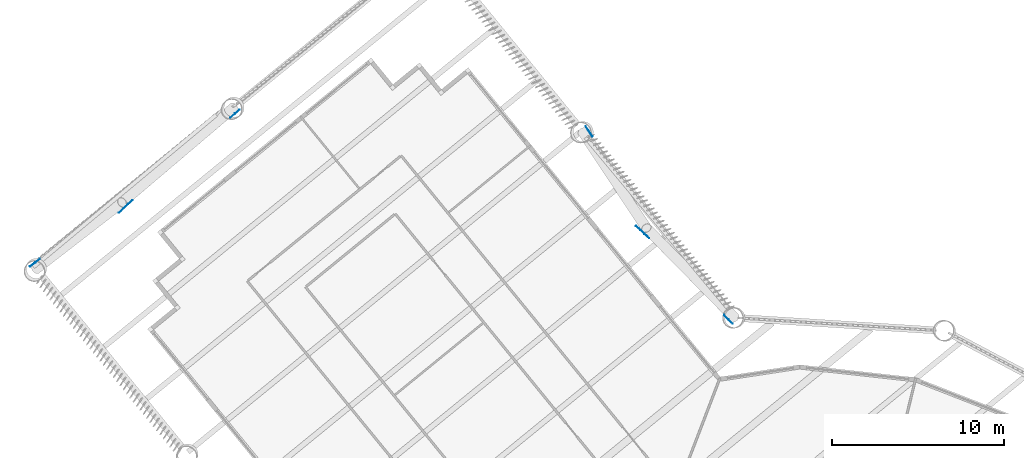
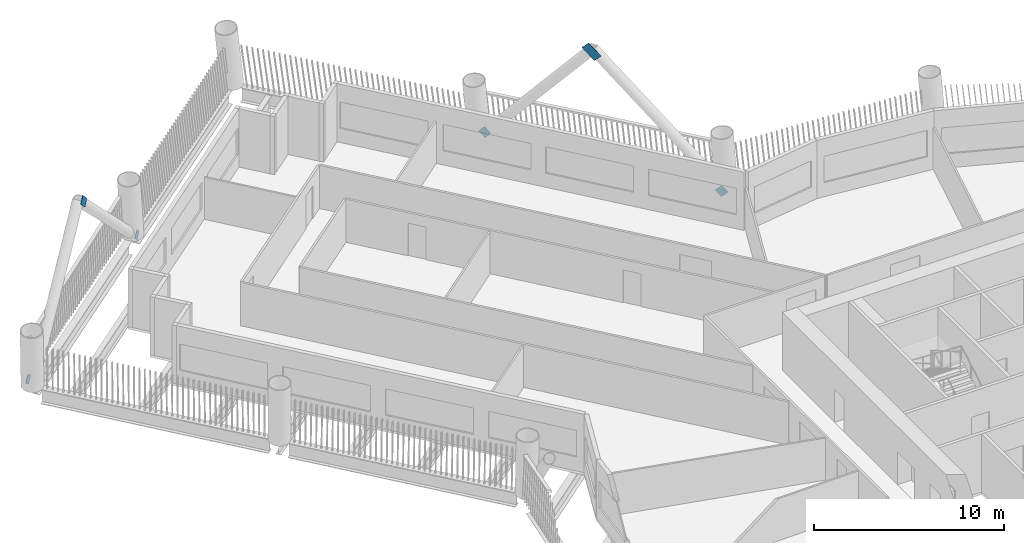
# One storey, part 12 of 22: 6 discrete accessories.
"""IFC4 building model written with IfcOpenShell, lengths in metres."""

import ifcopenshell
import ifcopenshell.guid

model = None  # the IFC model being written
_history = None  # IfcOwnerHistory: only IFC2X3 demands one
_inside = {}  # id of a spatial element -> (the spatial element, [elements in it])
_under = {}  # id of a project, library or spatial element -> (it, [spatial elements below it])
_declared = {}  # id of a project -> (the project, [libraries it declares])
_typed = {}  # id of a type object -> (the type object, [elements of that type])
_made_of = {}  # id of a material, layer set ... -> (it, [elements and type objects made of it])


def new_model(schema):
    """Start an empty IFC model of exactly this schema.

    Asked for "IFC4X3", IfcOpenShell would pick the latest addendum, in which some entities
    have other attributes; the version numbers below select the first issue.
    IFC2X3 requires an IfcOwnerHistory on every rooted entity: one is made here for all.
    """
    global model, _history
    if schema == "IFC4X3":
        model = ifcopenshell.file(schema_version=(4, 3, 0, 0))
    else:
        model = ifcopenshell.file(schema=schema)
    _inside.clear()
    _under.clear()
    _declared.clear()
    _typed.clear()
    _made_of.clear()
    _history = None
    if model.schema == "IFC2X3":
        org = make("IfcOrganization", Name="unknown")
        user = make(
            "IfcPersonAndOrganization",
            ThePerson=make("IfcPerson", FamilyName="unknown"),
            TheOrganization=org,
        )
        app = make(
            "IfcApplication",
            ApplicationDeveloper=org,
            Version="unknown",
            ApplicationFullName="unknown",
            ApplicationIdentifier="unknown",
        )
        _history = make(
            "IfcOwnerHistory",
            OwningUser=user,
            OwningApplication=app,
            ChangeAction="ADDED",
            CreationDate=0,
        )
    return model


def make(cls, **values):
    """One entity of the class cls with the attributes given. An attribute that is None is left unset."""
    return model.create_entity(
        cls, **{name: value for name, value in values.items() if value is not None}
    )


def rooted(cls, **values):
    """An entity with a GlobalId (a new one), such as an element, a storey or a relation."""
    return make(cls, GlobalId=ifcopenshell.guid.new(), OwnerHistory=_history, **values)


def si_unit(unit_type, name, prefix=None):
    """IfcSIUnit, for example si_unit("LENGTHUNIT", "METRE", prefix="MILLI")."""
    return make("IfcSIUnit", UnitType=unit_type, Prefix=prefix, Name=name)


def assignment(units):
    """IfcUnitAssignment: the units of a project."""
    return None if units is None else make("IfcUnitAssignment", Units=units)


def point(xyz):
    """IfcCartesianPoint."""
    return None if xyz is None else make("IfcCartesianPoint", Coordinates=xyz)


def direction(xyz):
    """IfcDirection."""
    return None if xyz is None else make("IfcDirection", DirectionRatios=xyz)


def frame(location, z_axis=None, x_axis=None):
    """IfcAxis2Placement3D, a coordinate frame: its origin and axes. An axis left out is left unset."""
    return make(
        "IfcAxis2Placement3D",
        Location=point(location),
        Axis=direction(z_axis),
        RefDirection=direction(x_axis),
    )


def frame_2d(location, x_axis=None):
    """IfcAxis2Placement2D, a coordinate frame in the plane: its origin and x axis."""
    return make(
        "IfcAxis2Placement2D", Location=point(location), RefDirection=direction(x_axis)
    )


def origin():
    """The frame at (0, 0, 0) with its axes left unset."""
    return frame((0.0, 0.0, 0.0))


def origin_2d():
    """The frame at (0, 0) in the plane with its x axis left unset."""
    return frame_2d((0.0, 0.0))


def place(relative_to, where):
    """IfcLocalPlacement: puts the frame where relative to a parent placement (None: the world)."""
    return make(
        "IfcLocalPlacement", PlacementRelTo=relative_to, RelativePlacement=where
    )


def context(
    kind, dimensions, precision=None, world=None, true_north=None, identifier=None
):
    """IfcGeometricRepresentationContext, for example the 3D "Model" context."""
    return make(
        "IfcGeometricRepresentationContext",
        ContextIdentifier=identifier,
        ContextType=kind,
        CoordinateSpaceDimension=dimensions,
        Precision=precision,
        WorldCoordinateSystem=world,
        TrueNorth=true_north,
    )


def subcontext(parent, identifier, kind, view, scale=None):
    """IfcGeometricRepresentationSubContext, for example "Body" below "Model"."""
    return make(
        "IfcGeometricRepresentationSubContext",
        ContextIdentifier=identifier,
        ContextType=kind,
        ParentContext=parent,
        TargetScale=scale,
        TargetView=view,
    )


def project(units=None, contexts=None):
    """IfcProject with its units and contexts."""
    return rooted(
        "IfcProject",
        Name="project",
        RepresentationContexts=contexts,
        UnitsInContext=assignment(units),
    )


def spatial(cls, under=None, at=None, **own):
    """A site, building, storey or space (cls), placed at a placement, below another one or the project."""
    s = rooted(cls, ObjectPlacement=at, **own)
    if under is not None:
        _under.setdefault(under.id(), (under, []))[1].append(s)
    return s


def profile(cls, at=None, kind="AREA", **sizes):
    """A parametric profile (cls). Its sizes go by their IFC names, for example OverallWidth=200.0."""
    return make(cls, ProfileType=kind, Position=at, **sizes)


def rectangle(**sizes):
    """IfcRectangleProfileDef."""
    return profile("IfcRectangleProfileDef", **sizes)


def extrude(swept, where, along, depth):
    """IfcExtrudedAreaSolid: the profile swept, set in the frame where, extruded along a direction by depth."""
    return make(
        "IfcExtrudedAreaSolid",
        SweptArea=swept,
        Position=where,
        ExtrudedDirection=direction(along),
        Depth=depth,
    )


def shape(context_of_items, identifier, shape_type, items):
    """IfcShapeRepresentation: the items that make up one representation, for example the "Body"."""
    return make(
        "IfcShapeRepresentation",
        ContextOfItems=context_of_items,
        RepresentationIdentifier=identifier,
        RepresentationType=shape_type,
        Items=items,
    )


def material(Name=None, Category=None):
    """IfcMaterial."""
    return make("IfcMaterial", Name=Name, Category=Category)


def material_profile(
    of_material, cross_section, Name=None, Category=None, Priority=None
):
    """IfcMaterialProfile: a cross section and its material."""
    return make(
        "IfcMaterialProfile",
        Name=Name,
        Material=of_material,
        Profile=cross_section,
        Priority=Priority,
        Category=Category,
    )


def profile_set(profiles, Name=None, composite=None):
    """IfcMaterialProfileSet."""
    return make(
        "IfcMaterialProfileSet",
        Name=Name,
        MaterialProfiles=profiles,
        CompositeProfile=composite,
    )


def made_of(thing, what):
    """Note that an element or type object is made of a material, layer set ...; save() writes the relation."""
    if what is not None:
        _made_of.setdefault(what.id(), (what, []))[1].append(thing)
    return thing


def type_object(cls, material=None, **own):
    """A type object (cls), such as IfcWallType, which elements share."""
    return made_of(rooted(cls, **own), material)


def element(
    cls,
    number,
    at=None,
    inside=None,
    cuts=None,
    type_object=None,
    material=None,
    context=None,
    identifier="Body",
    shape_type=None,
    held_by="IfcProductDefinitionShape",
    body=None,
    shapes=None,
    **own,
):
    """One element of the class cls, such as IfcWall. Its Tag is "e" and its number.

    at: its placement. inside: the storey or other place that contains it. cuts: it is an
    opening in that element (IfcRelVoidsElement). A single representation is given by context,
    identifier, shape_type and body (its items); several are given by shapes. held_by: the class
    of the entity that holds the representations. save() writes the other relations.
    """
    e = rooted(cls, Tag="e%d" % number, ObjectPlacement=at, **own)
    if body is not None:
        shapes = [shape(context, identifier, shape_type, body)]
    if shapes is not None:
        e.Representation = make(held_by, Representations=shapes)
    if inside is not None:
        _inside.setdefault(inside.id(), (inside, []))[1].append(e)
    if cuts is not None:
        rooted(
            "IfcRelVoidsElement", RelatingBuildingElement=cuts, RelatedOpeningElement=e
        )
    if type_object is not None:
        _typed.setdefault(type_object.id(), (type_object, []))[1].append(e)
    return made_of(e, material)


def aggregate(whole, parts):
    """IfcRelAggregates: a whole, such as a stair, and the parts it consists of."""
    return rooted("IfcRelAggregates", RelatingObject=whole, RelatedObjects=parts)


def save(model, path):
    """Write the relations noted so far, then the file.

    IfcRelAggregates (storeys below a building ...), IfcRelContainedInSpatialStructure (elements
    in a storey), IfcRelDefinesByType, IfcRelAssociatesMaterial and IfcRelDeclares: one each for
    every whole, place, type object, material and project.
    """
    for whole, parts in _under.values():
        aggregate(whole, parts)
    for where, things in _inside.values():
        rooted(
            "IfcRelContainedInSpatialStructure",
            RelatedElements=things,
            RelatingStructure=where,
        )
    for kind, things in _typed.values():
        rooted("IfcRelDefinesByType", RelatedObjects=things, RelatingType=kind)
    for what, things in _made_of.values():
        rooted("IfcRelAssociatesMaterial", RelatedObjects=things, RelatingMaterial=what)
    for by, libraries in _declared.values():
        rooted("IfcRelDeclares", RelatingContext=by, RelatedDefinitions=libraries)
    model.write(path)


model = new_model("IFC4")

# Units and contexts
model_context = context("Model", 3, precision=1e-05, world=origin(), true_north=direction((0.0, 1.0)))
body_context = subcontext(model_context, "Body", "Model", "MODEL_VIEW")
ifc_project = project(units=[si_unit("LENGTHUNIT", "METRE"), si_unit("AREAUNIT", "SQUARE_METRE"), si_unit("VOLUMEUNIT", "CUBIC_METRE"), si_unit("PLANEANGLEUNIT", "RADIAN"), si_unit("MASSUNIT", "GRAM", prefix="KILO")], contexts=[model_context])

# Site, building, storey
site_placement = place(None, origin())
site = spatial("IfcSite", under=ifc_project, at=site_placement, CompositionType="ELEMENT")
building_placement = place(site_placement, origin())
building = spatial("IfcBuilding", under=site, at=building_placement, Name="Tarsis Ring Headquarters", CompositionType="ELEMENT")
storey_placement = place(building_placement, frame((0.0, 0.0, 40.0)))
storey = spatial("IfcBuildingStorey", under=building, at=storey_placement, Name="L07", CompositionType="ELEMENT", Elevation=40.0)

# Discrete accessories
ifc_material = material(Name="Structural steel S355", Category="steel")
ifc_material_profile = material_profile(ifc_material, rectangle(XDim=0.02490234375, YDim=0.5, at=origin_2d()), Name="PL 25x500")
ifc_profile_set = profile_set([ifc_material_profile], Name="Structural steel S355")
discrete_accessory_type = type_object("IfcDiscreteAccessoryType", Name="Gusset plate Exo brace 25", PredefinedType="BRACKET", material=ifc_profile_set)
discrete_accessory_1_placement = place(storey_placement, frame((-4.55517578125, 28.501708984375, 0.0), z_axis=(-0.477961824128, 0.487237896302, 0.730856844453), x_axis=(-0.713869479264, -0.700278777755, 0.0)))
element("IfcDiscreteAccessory", 1, at=discrete_accessory_1_placement, inside=storey, type_object=discrete_accessory_type, Name="Gusset plate GP5", PredefinedType="BRACKET", context=body_context, shape_type="SweptSolid", body=[
    extrude(rectangle(XDim=0.02490234375, YDim=0.5, at=origin_2d()), origin(), (0.0, 0.0, 1.0), 0.5),
])
discrete_accessory_2_placement = place(storey_placement, frame((-9.40234375, 33.45556640625, 7.434814453125), z_axis=(-0.498264717951, 0.467504622673, 0.730186071235), x_axis=(-0.684238206911, -0.729258579794, 0.0)))
element("IfcDiscreteAccessory", 2, at=discrete_accessory_2_placement, inside=storey, type_object=discrete_accessory_type, Name="Gusset plate GP5", PredefinedType="BRACKET", context=body_context, shape_type="SweptSolid", body=[
    extrude(rectangle(XDim=0.02490234375, YDim=0.5, at=origin_2d()), origin(), (0.0, 0.0, 1.0), 1.0),
])
for number, where, z_axis, x_axis, name in (
    (3, (-12.8505859375, 39.67236328125, 0.0), (0.358440272034, -0.543032128749, 0.759365971407), (0.834581801986, 0.550884031167, 0.0), "Gusset plate GP5"),
    (4, (-33.165771484375, 40.675048828125, 0.0), (-0.562110297293, -0.476646090494, 0.675899784061), (0.646743916888, -0.762707221658, 0.0), "Gusset plate GP5"),
):
    element("IfcDiscreteAccessory", number, at=place(storey_placement, frame(where, z_axis=z_axis, x_axis=x_axis)), inside=storey, type_object=discrete_accessory_type, Name=name, PredefinedType="BRACKET", context=body_context, shape_type="SweptSolid", body=[
        extrude(rectangle(XDim=0.02490234375, YDim=0.5, at=origin_2d()), origin(), (0.0, 0.0, 1.0), 0.5),
    ])
discrete_accessory_3_placement = place(storey_placement, frame((-39.3701171875, 35.4287109375, 7.462158203125), z_axis=(-0.542787684564, -0.498593095763, 0.675859788967), x_axis=(0.676489351481, -0.736452413488, 0.0)))
element("IfcDiscreteAccessory", 5, at=discrete_accessory_3_placement, inside=storey, type_object=discrete_accessory_type, Name="Gusset plate GP5", PredefinedType="BRACKET", context=body_context, shape_type="SweptSolid", body=[
    extrude(rectangle(XDim=0.02490234375, YDim=0.5, at=origin_2d()), origin(), (0.0, 0.0, 1.0), 1.0),
])
discrete_accessory_4_placement = place(storey_placement, frame((-45.0341796875, 31.814208984375, 0.0), z_axis=(0.497220593061, 0.383905094446, 0.778067195231), x_axis=(-0.611137649716, 0.791524335128, 0.0)))
element("IfcDiscreteAccessory", 6, at=discrete_accessory_4_placement, inside=storey, type_object=discrete_accessory_type, Name="Gusset plate GP5", PredefinedType="BRACKET", context=body_context, shape_type="SweptSolid", body=[
    extrude(rectangle(XDim=0.02490234375, YDim=0.5, at=origin_2d()), origin(), (0.0, 0.0, 1.0), 0.499755859375),
])

save(model, "model.ifc")
